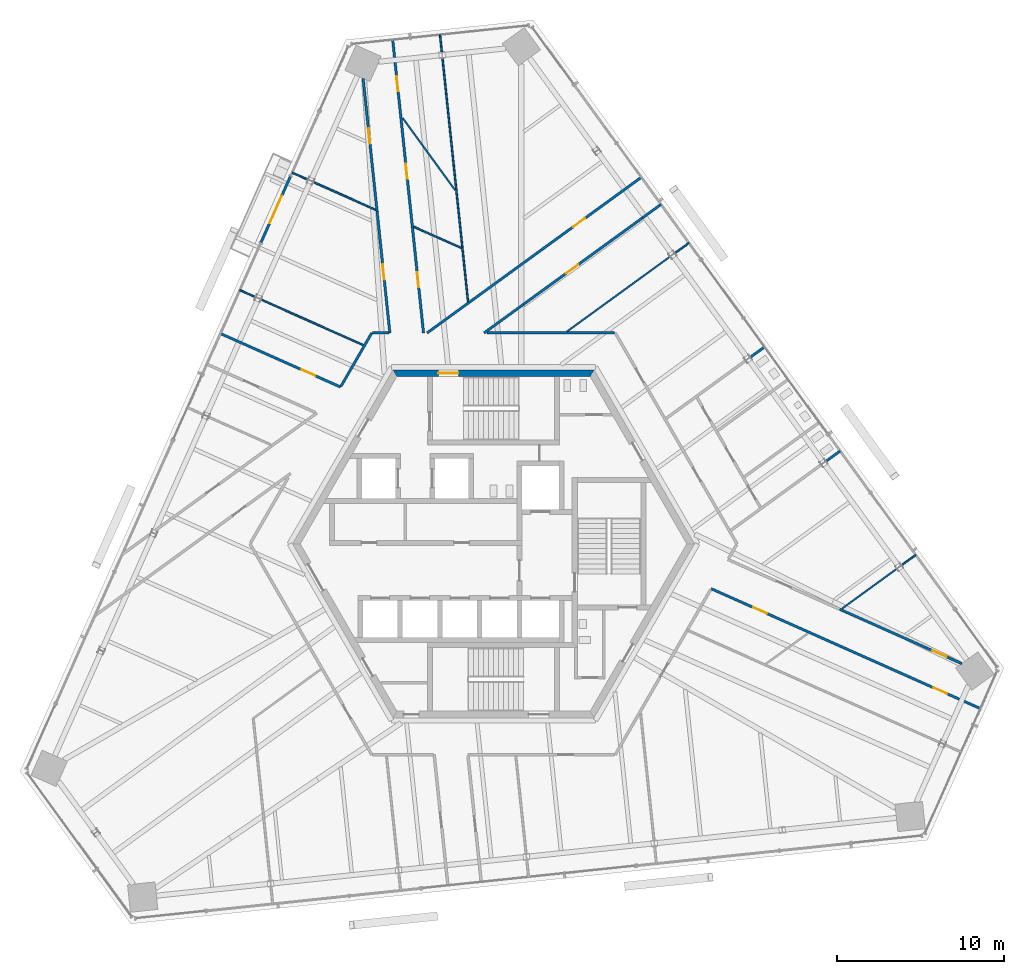
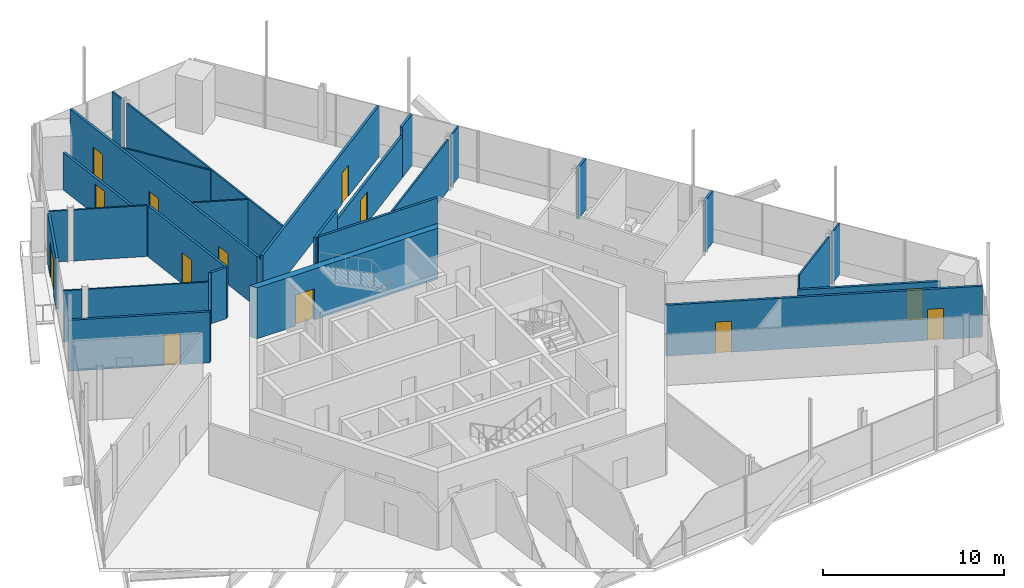
# One storey, part 14 of 21: 29 walls, 13 doors, 13 openings.
"""IFC4 building model written with IfcOpenShell, lengths in metres."""

from ifc_helpers import new_model, si_unit, direction, frame, frame_2d, origin, place, context, subcontext, project, spatial, polyline, rectangle, outline, extrude, source, transform, mapped, material, layer, layer_set, type_object, element, fill, save


model = new_model("IFC4")

# Units and contexts
model_context = context("Model", 3, precision=1e-05, world=origin(), true_north=direction((0.0, 1.0)))
body_context = subcontext(model_context, "Body", "Model", "MODEL_VIEW")
ifc_project = project(units=[si_unit("LENGTHUNIT", "METRE"), si_unit("AREAUNIT", "SQUARE_METRE"), si_unit("VOLUMEUNIT", "CUBIC_METRE"), si_unit("PLANEANGLEUNIT", "RADIAN"), si_unit("MASSUNIT", "GRAM", prefix="KILO")], contexts=[model_context])

# Site, building, storey
site_placement = place(None, origin())
site = spatial("IfcSite", under=ifc_project, at=site_placement, CompositionType="ELEMENT")
building_placement = place(site_placement, origin())
building = spatial("IfcBuilding", under=site, at=building_placement, Name="Triune Harvest Tower", CompositionType="ELEMENT")
storey_placement = place(building_placement, frame((0.0, 0.0, 241.300048828125)))
storey = spatial("IfcBuildingStorey", under=building, at=storey_placement, Name="L63", CompositionType="ELEMENT", Elevation=241.300048828125)

# Wall, opening, door
ifc_material_1 = material(Name="Gypsum board on steel studs", Category="steel")
ifc_layer_1 = layer(ifc_material_1, 0.14990234375)
ifc_layer_set_1 = layer_set([ifc_layer_1], Name="Gypsum board on steel studs")
wall_type_1 = type_object("IfcWallType", Name="Fire Partition 150 mm", PredefinedType="PARTITIONING", material=ifc_layer_set_1)
wall_1_placement = place(storey_placement, frame((-6.952880859375, 19.8525390625, 0.0), z_axis=(0.0, 0.0, 1.0), x_axis=(0.104508955869, -0.994523945485, 0.0)))
wall_1 = element("IfcWall", 1, at=wall_1_placement, inside=storey, type_object=wall_type_1, Name="Partition L63 005a", PredefinedType="PARTITIONING", context=body_context, shape_type="SweptSolid", body=[
    extrude(rectangle(XDim=7.30029296875, YDim=0.14990234375, at=frame_2d((3.650146484375, 0.0))), origin(), (0.0, 0.0, 1.0), 3.43994140625),
])
opening_1_placement = place(wall_1_placement, frame((3.19140625, 0.0, 0.0)))
opening_1 = element("IfcOpeningElement", 2, at=opening_1_placement, cuts=wall_1, Name="Opening L63-014", PredefinedType="OPENING", context=body_context, shape_type="SweptSolid", body=[
    extrude(rectangle(XDim=0.89990234375, YDim=2.10009765625, at=frame_2d((0.449951171875, 1.050048828125))), frame((0.0, 0.0849609375, 0.0), z_axis=(0.0, -1.0, 0.0), x_axis=(1.0, 0.0, 0.0)), (0.0, 0.0, 1.0), 0.169921875),
])
ifc_material_2 = material(Name="Timber and steel door set", Category="steel")
door_type_1 = type_object("IfcDoorType", Name="Single leaf door FD30 left hand 900 x 2100", OperationType="SINGLE_SWING_LEFT", PredefinedType="DOOR", material=ifc_material_2)
door_1_placement = place(opening_1_placement, origin())
door_1 = element("IfcDoor", 3, at=door_1_placement, inside=storey, type_object=door_type_1, Name="Door L63-014 Project Room 63.14", OperationType="SINGLE_SWING_LEFT", OverallHeight=2.10009765625, OverallWidth=0.89990234375, PredefinedType="DOOR", context=body_context, shape_type="SweptSolid", body=[
    extrude(rectangle(XDim=0.89990234375, YDim=2.10009765625, at=frame_2d((0.449951171875, 1.050048828125))), frame((0.0, 0.02490234375, 0.0), z_axis=(0.0, -1.0, 0.0), x_axis=(1.0, 0.0, 0.0)), (0.0, 0.0, 1.0), 0.050048828125),
])
fill(opening_1, door_1)

# Wall, openings, doors
wall_2_placement = place(storey_placement, frame((-6.018798828125, 30.096923828125, 0.0), z_axis=(0.0, 0.0, 1.0), x_axis=(0.104530266464, -0.994521705843, 0.0)))
wall_2 = element("IfcWall", 4, at=wall_2_placement, inside=storey, type_object=wall_type_1, Name="Partition L63 007", PredefinedType="PARTITIONING", context=body_context, shape_type="SweptSolid", body=[
    extrude(rectangle(XDim=17.60107421875, YDim=0.14990234375, at=frame_2d((8.800537109375, 0.0))), origin(), (0.0, 0.0, 1.0), 3.43994140625),
])
opening_2_placement = place(wall_2_placement, frame((2.177001953125, 0.0, 0.0)))
opening_2 = element("IfcOpeningElement", 5, at=opening_2_placement, cuts=wall_2, Name="Opening L63-011", PredefinedType="OPENING", context=body_context, shape_type="SweptSolid", body=[
    extrude(rectangle(XDim=0.89990234375, YDim=2.10009765625, at=frame_2d((0.449951171875, 1.050048828125))), frame((0.0, 0.0849609375, 0.0), z_axis=(0.0, -1.0, 0.0), x_axis=(1.0, 0.0, 0.0)), (0.0, 0.0, 1.0), 0.169921875),
])
opening_3_placement = place(wall_2_placement, frame((7.436767578125, 0.0, 0.0)))
opening_3 = element("IfcOpeningElement", 6, at=opening_3_placement, cuts=wall_2, Name="Opening L63-013", PredefinedType="OPENING", context=body_context, shape_type="SweptSolid", body=[
    extrude(rectangle(XDim=0.89990234375, YDim=2.10009765625, at=frame_2d((0.449951171875, 1.050048828125))), frame((0.0, 0.0849609375, 0.0), z_axis=(0.0, -1.0, 0.0), x_axis=(1.0, 0.0, 0.0)), (0.0, 0.0, 1.0), 0.169921875),
])
opening_4_placement = place(wall_2_placement, frame((13.951171875, 0.0, 0.0)))
opening_4 = element("IfcOpeningElement", 7, at=opening_4_placement, cuts=wall_2, Name="Opening L63-015", PredefinedType="OPENING", context=body_context, shape_type="SweptSolid", body=[
    extrude(rectangle(XDim=0.89990234375, YDim=2.10009765625, at=frame_2d((0.449951171875, 1.050048828125))), frame((0.0, 0.0849609375, 0.0), z_axis=(0.0, -1.0, 0.0), x_axis=(1.0, 0.0, 0.0)), (0.0, 0.0, 1.0), 0.169921875),
])
door_2_placement = place(opening_2_placement, origin())
door_2 = element("IfcDoor", 8, at=door_2_placement, inside=storey, type_object=door_type_1, Name="Door L63-011 Reception 63.11", OperationType="SINGLE_SWING_LEFT", OverallHeight=2.10009765625, OverallWidth=0.89990234375, PredefinedType="DOOR", context=body_context, shape_type="SweptSolid", body=[
    extrude(rectangle(XDim=0.89990234375, YDim=2.10009765625, at=frame_2d((0.449951171875, 1.050048828125))), frame((0.0, 0.02490234375, 0.0), z_axis=(0.0, -1.0, 0.0), x_axis=(1.0, 0.0, 0.0)), (0.0, 0.0, 1.0), 0.050048828125),
])
fill(opening_2, door_2)
door_3_placement = place(opening_3_placement, origin())
door_3 = element("IfcDoor", 9, at=door_3_placement, inside=storey, type_object=door_type_1, Name="Door L63-013 Dry Store Room 63.13", OperationType="SINGLE_SWING_LEFT", OverallHeight=2.10009765625, OverallWidth=0.89990234375, PredefinedType="DOOR", context=body_context, shape_type="SweptSolid", body=[
    extrude(rectangle(XDim=0.89990234375, YDim=2.10009765625, at=frame_2d((0.449951171875, 1.050048828125))), frame((0.0, 0.02490234375, 0.0), z_axis=(0.0, -1.0, 0.0), x_axis=(1.0, 0.0, 0.0)), (0.0, 0.0, 1.0), 0.050048828125),
])
fill(opening_3, door_3)
ifc_material_3 = material(Name="Timber and steel door set", Category="steel")
door_type_2 = type_object("IfcDoorType", Name="Single leaf door FD30 right hand 900 x 2100", OperationType="SINGLE_SWING_RIGHT", PredefinedType="DOOR", material=ifc_material_3)
door_4_placement = place(opening_4_placement, origin())
door_4 = element("IfcDoor", 10, at=door_4_placement, inside=storey, type_object=door_type_2, Name="Door L63-015 Meeting Room 63.15", OperationType="SINGLE_SWING_RIGHT", OverallHeight=2.10009765625, OverallWidth=0.89990234375, PredefinedType="DOOR", context=body_context, shape_type="SweptSolid", body=[
    extrude(rectangle(XDim=0.89990234375, YDim=2.10009765625, at=frame_2d((0.449951171875, 1.050048828125))), frame((0.0, 0.02490234375, 0.0), z_axis=(0.0, -1.0, 0.0), x_axis=(1.0, 0.0, 0.0)), (0.0, 0.0, 1.0), 0.050048828125),
])
fill(opening_4, door_4)

wall_3_placement = place(storey_placement, frame((12.99462890625, -2.677001953125, 0.0), z_axis=(0.0, 0.0, 1.0), x_axis=(0.913543662377, -0.406740675284, 0.0)))
wall_3 = element("IfcWall", 11, at=wall_3_placement, inside=storey, type_object=wall_type_1, Name="Partition L63 024", PredefinedType="PARTITIONING", context=body_context, shape_type="SweptSolid", body=[
    extrude(rectangle(XDim=17.601318359375, YDim=0.14990234375, at=frame_2d((8.80078125, 0.0))), origin(), (0.0, 0.0, 1.0), 3.43994140625),
])
opening_5_placement = place(wall_3_placement, frame((2.75, 0.0, 0.0)))
opening_5 = element("IfcOpeningElement", 12, at=opening_5_placement, cuts=wall_3, Name="Opening L63-002", PredefinedType="OPENING", context=body_context, shape_type="SweptSolid", body=[
    extrude(rectangle(XDim=0.89990234375, YDim=2.10009765625, at=frame_2d((0.449951171875, 1.050048828125))), frame((0.0, 0.0849609375, 0.0), z_axis=(0.0, -1.0, 0.0), x_axis=(1.0, 0.0, 0.0)), (0.0, 0.0, 1.0), 0.169921875),
])
opening_6_placement = place(wall_3_placement, frame((14.52392578125, 0.0, 0.0)))
opening_6 = element("IfcOpeningElement", 13, at=opening_6_placement, cuts=wall_3, Name="Opening L63-025", PredefinedType="OPENING", context=body_context, shape_type="SweptSolid", body=[
    extrude(rectangle(XDim=0.89990234375, YDim=2.10009765625, at=frame_2d((0.449951171875, 1.050048828125))), frame((0.0, 0.0849609375, 0.0), z_axis=(0.0, -1.0, 0.0), x_axis=(1.0, 0.0, 0.0)), (0.0, 0.0, 1.0), 0.169921875),
])
door_5_placement = place(opening_6_placement, origin())
door_5 = element("IfcDoor", 14, at=door_5_placement, inside=storey, type_object=door_type_1, Name="Door L63-025 Phone room 63.25", OperationType="SINGLE_SWING_LEFT", OverallHeight=2.10009765625, OverallWidth=0.89990234375, PredefinedType="DOOR", context=body_context, shape_type="SweptSolid", body=[
    extrude(rectangle(XDim=0.89990234375, YDim=2.10009765625, at=frame_2d((0.449951171875, 1.050048828125))), frame((0.0, 0.02490234375, 0.0), z_axis=(0.0, -1.0, 0.0), x_axis=(1.0, 0.0, 0.0)), (0.0, 0.0, 1.0), 0.050048828125),
])
fill(opening_6, door_5)
door_6_placement = place(opening_5_placement, origin())
door_6 = element("IfcDoor", 15, at=door_6_placement, inside=storey, type_object=door_type_2, Name="Door L63-002 Meeting Room 63.02", OperationType="SINGLE_SWING_RIGHT", OverallHeight=2.10009765625, OverallWidth=0.89990234375, PredefinedType="DOOR", context=body_context, shape_type="SweptSolid", body=[
    extrude(rectangle(XDim=0.89990234375, YDim=2.10009765625, at=frame_2d((0.449951171875, 1.050048828125))), frame((0.0, 0.02490234375, 0.0), z_axis=(0.0, -1.0, 0.0), x_axis=(1.0, 0.0, 0.0)), (0.0, 0.0, 1.0), 0.050048828125),
])
fill(opening_5, door_6)

# Walls
wall_4_placement = place(storey_placement, frame((-0.37451171875, 12.59228515625, 0.0), z_axis=(0.0, 0.0, 1.0), x_axis=(1.0, 0.0, 0.0)))
element("IfcWall", 16, at=wall_4_placement, inside=storey, type_object=wall_type_1, Name="Partition L63 035", PredefinedType="PARTITIONING", context=body_context, shape_type="SweptSolid", body=[
    extrude(rectangle(XDim=7.5947265625, YDim=0.14990234375, at=frame_2d((3.79736328125, 0.0))), origin(), (0.0, 0.0, 1.0), 3.43994140625),
])
wall_5_placement = place(storey_placement, frame((-0.564453125, 12.59228515625, 0.0), z_axis=(0.0, 0.0, 1.0), x_axis=(0.80901618863, 0.587786361304, 0.0)))
element("IfcWall", 17, at=wall_5_placement, inside=storey, type_object=wall_type_1, Name="Partition L63 049", PredefinedType="PARTITIONING", context=body_context, shape_type="SweptSolid", body=[
    extrude(rectangle(XDim=2.9013671875, YDim=0.14990234375, at=frame_2d((1.45068359375, 0.0))), origin(), (0.0, 0.0, 1.0), 3.43994140625),
])

# Wall, opening, door
wall_6_placement = place(storey_placement, frame((1.78271484375, 14.297607421875, 0.0), z_axis=(0.0, 0.0, 1.0), x_axis=(0.809020661986, 0.587780204226, 0.0)))
wall_6 = element("IfcWall", 18, at=wall_6_placement, inside=storey, type_object=wall_type_1, Name="Partition L63 049a", PredefinedType="PARTITIONING", context=body_context, shape_type="SweptSolid", body=[
    extrude(rectangle(XDim=8.78955078125, YDim=0.14990234375, at=frame_2d((4.394775390625, 0.0))), origin(), (0.0, 0.0, 1.0), 2.82763671875),
])
opening_7_placement = place(wall_6_placement, frame((3.1484375, 0.0, 0.0)))
opening_7 = element("IfcOpeningElement", 19, at=opening_7_placement, cuts=wall_6, Name="Opening L63-010", PredefinedType="OPENING", context=body_context, shape_type="SweptSolid", body=[
    extrude(rectangle(XDim=0.89990234375, YDim=2.10009765625, at=frame_2d((0.449951171875, 1.050048828125))), frame((0.0, 0.0849609375, 0.0), z_axis=(0.0, -1.0, 0.0), x_axis=(1.0, 0.0, 0.0)), (0.0, 0.0, 1.0), 0.169921875),
])
door_7_placement = place(opening_7_placement, origin())
door_7 = element("IfcDoor", 20, at=door_7_placement, inside=storey, type_object=door_type_2, Name="Door L63-010 Office 63.10", OperationType="SINGLE_SWING_RIGHT", OverallHeight=2.10009765625, OverallWidth=0.89990234375, PredefinedType="DOOR", context=body_context, shape_type="SweptSolid", body=[
    extrude(rectangle(XDim=0.89990234375, YDim=2.10009765625, at=frame_2d((0.449951171875, 1.050048828125))), frame((0.0, 0.02490234375, 0.0), z_axis=(0.0, -1.0, 0.0), x_axis=(1.0, 0.0, 0.0)), (0.0, 0.0, 1.0), 0.050048828125),
])
fill(opening_7, door_7)

wall_7_placement = place(storey_placement, frame((-3.967041015625, 12.59228515625, 0.0), z_axis=(0.0, 0.0, 1.0), x_axis=(0.809018431706, 0.587783273971, 0.0)))
wall_7 = element("IfcWall", 21, at=wall_7_placement, inside=storey, type_object=wall_type_1, Name="Partition L63 052", PredefinedType="PARTITIONING", context=body_context, shape_type="SweptSolid", body=[
    extrude(rectangle(XDim=15.8115234375, YDim=0.14990234375, at=frame_2d((7.90576171875, 0.0))), origin(), (0.0, 0.0, 1.0), 3.43994140625),
])
opening_8_placement = place(wall_7_placement, frame((10.761474609375, 0.0, 0.0)))
opening_8 = element("IfcOpeningElement", 22, at=opening_8_placement, cuts=wall_7, Name="Opening L63-009", PredefinedType="OPENING", context=body_context, shape_type="SweptSolid", body=[
    extrude(rectangle(XDim=0.89990234375, YDim=2.10009765625, at=frame_2d((0.449951171875, 1.050048828125))), frame((0.0, 0.0849609375, 0.0), z_axis=(0.0, -1.0, 0.0), x_axis=(1.0, 0.0, 0.0)), (0.0, 0.0, 1.0), 0.169921875),
])
door_8_placement = place(opening_8_placement, origin())
door_8 = element("IfcDoor", 23, at=door_8_placement, inside=storey, type_object=door_type_2, Name="Door L63-009 Office 63.09", OperationType="SINGLE_SWING_RIGHT", OverallHeight=2.10009765625, OverallWidth=0.89990234375, PredefinedType="DOOR", context=body_context, shape_type="SweptSolid", body=[
    extrude(rectangle(XDim=0.89990234375, YDim=2.10009765625, at=frame_2d((0.449951171875, 1.050048828125))), frame((0.0, 0.02490234375, 0.0), z_axis=(0.0, -1.0, 0.0), x_axis=(1.0, 0.0, 0.0)), (0.0, 0.0, 1.0), 0.050048828125),
])
fill(opening_8, door_8)

# Walls
wall_8_placement = place(storey_placement, frame((-9.10888671875, 9.407470703125, 0.0), z_axis=(0.0, 0.0, 1.0), x_axis=(0.499965700209, 0.866045205872, 0.0)))
element("IfcWall", 24, at=wall_8_placement, inside=storey, type_object=wall_type_1, Name="Partition L63 056", PredefinedType="PARTITIONING", context=body_context, shape_type="SweptSolid", body=[
    extrude(rectangle(XDim=3.677978515625, YDim=0.14990234375, at=frame_2d((1.8388671875, 0.0))), origin(), (0.0, 0.0, 1.0), 3.43994140625),
])
ifc_material_4 = material(Name="Gypsum board on steel studs", Category="steel")
ifc_layer_2 = layer(ifc_material_4, 0.10009765625)
ifc_layer_set_2 = layer_set([ifc_layer_2], Name="Gypsum board on steel studs")
wall_type_2 = type_object("IfcWallType", Name="Partition 100 mm", PredefinedType="PARTITIONING", material=ifc_layer_set_2)
wall_9_placement = place(storey_placement, frame((-3.050048828125, 29.01806640625, 0.0), z_axis=(0.0, 0.0, 1.0), x_axis=(0.10453452259, -0.994521258489, 0.0)))
element("IfcWall", 25, at=wall_9_placement, inside=storey, type_object=wall_type_2, Name="Partition L63 010", PredefinedType="PARTITIONING", context=body_context, shape_type="SweptSolid", body=[
    extrude(rectangle(XDim=14.6318359375, YDim=0.10009765625, at=frame_2d((7.31591796875, 0.0))), origin(), (0.0, 0.0, 1.0), 3.43994140625),
])
wall_10_placement = place(storey_placement, frame((-5.427978515625, 25.43310546875, 0.0), z_axis=(0.0, 0.0, 1.0), x_axis=(0.587771232927, -0.809027179855, 0.0)))
element("IfcWall", 26, at=wall_10_placement, inside=storey, type_object=wall_type_2, Name="Partition L63 018", PredefinedType="PARTITIONING", context=body_context, shape_type="SweptSolid", body=[
    extrude(rectangle(XDim=5.32958984375, YDim=0.10009765625, at=frame_2d((2.664794921875, 0.0))), origin(), (0.0, 0.0, 1.0), 3.43994140625),
])
wall_11_placement = place(storey_placement, frame((-10.76318359375, 21.6044921875, 0.0), z_axis=(0.0, 0.0, 1.0), x_axis=(0.913546929061, -0.406733338201, 0.0)))
element("IfcWall", 27, at=wall_11_placement, inside=storey, type_object=wall_type_2, Name="Partition L63 030", PredefinedType="PARTITIONING", context=body_context, shape_type="SweptSolid", body=[
    extrude(rectangle(XDim=4.073974609375, YDim=0.10009765625, at=frame_2d((2.037109375, 0.0))), origin(), (0.0, 0.0, 1.0), 3.43994140625),
])
wall_12_placement = place(storey_placement, frame((-4.76708984375, 18.934814453125, 0.0), z_axis=(0.0, 0.0, 1.0), x_axis=(0.913553135522, -0.406719397838, 0.0)))
element("IfcWall", 28, at=wall_12_placement, inside=storey, type_object=wall_type_2, Name="Partition L63 031", PredefinedType="PARTITIONING", context=body_context, shape_type="SweptSolid", body=[
    extrude(rectangle(XDim=3.118896484375, YDim=0.10009765625, at=frame_2d((1.5595703125, 0.0))), origin(), (0.0, 0.0, 1.0), 3.43994140625),
])
wall_13_placement = place(storey_placement, frame((20.795654296875, -3.875732421875, 0.0), z_axis=(0.0, 0.0, 1.0), x_axis=(0.809018438232, 0.587783264989, 0.0)))
element("IfcWall", 29, at=wall_13_placement, inside=storey, type_object=wall_type_2, Name="Partition L63 037", PredefinedType="PARTITIONING", context=body_context, shape_type="SweptSolid", body=[
    extrude(rectangle(XDim=4.07421875, YDim=0.10009765625, at=frame_2d((2.037109375, 0.0))), origin(), (0.0, 0.0, 1.0), 3.43994140625),
])
wall_14_placement = place(storey_placement, frame((4.39599609375, 12.686279296875, 0.0), z_axis=(0.0, 0.0, 1.0), x_axis=(0.80901634579, 0.587786144992, 0.0)))
element("IfcWall", 30, at=wall_14_placement, inside=storey, type_object=wall_type_2, Name="Partition L63 046", PredefinedType="PARTITIONING", context=body_context, shape_type="SweptSolid", body=[
    extrude(rectangle(XDim=7.60693359375, YDim=0.10009765625, at=frame_2d((3.803466796875, 0.0))), origin(), (0.0, 0.0, 1.0), 3.43994140625),
])

# Wall, opening, door
ifc_material_5 = material(Name="Concrete 70 MPa", Category="concrete")
ifc_layer_3 = layer(ifc_material_5, 0.39990234375)
ifc_layer_set_3 = layer_set([ifc_layer_3], Name="Concrete 70 MPa")
wall_type_3 = type_object("IfcWallType", Name="Core wall 400", PredefinedType="SHEAR", material=ifc_layer_set_3)
shared_shape_1 = source(origin(), body_context, "Body", "SweptSolid", [
    extrude(outline(polyline([(-0.115478515625, -0.199951171875), (11.884521484375, -0.199951171875), (11.653564453125, 0.199951171875), (0.115478515625, 0.199951171875), (-0.115478515625, -0.199951171875)])), origin(), (0.0, 0.0, 1.0), 3.43994140625),
])
wall_15_placement = place(storey_placement, frame((5.884521484375, 10.1923828125, 0.0), z_axis=(0.0, 0.0, 1.0), x_axis=(-1.0, 0.0, 0.0)))
wall_15 = element("IfcWall", 31, at=wall_15_placement, inside=storey, type_object=wall_type_3, Name="Hexagon 1 wall", PredefinedType="SHEAR", context=body_context, shape_type="MappedRepresentation", body=[
    mapped(shared_shape_1, transform((0.0, 0.0, 0.0), scale=1.0)),
])
opening_9_placement = place(wall_15_placement, frame((7.984619140625, 0.0, 0.0)))
opening_9 = element("IfcOpeningElement", 32, at=opening_9_placement, cuts=wall_15, Name="Opening CD-S1P", PredefinedType="OPENING", context=body_context, shape_type="SweptSolid", body=[
    extrude(rectangle(XDim=1.199951171875, YDim=2.10009765625, at=frame_2d((0.60009765625, 1.050048828125))), frame((0.0, 0.2099609375, 0.0), z_axis=(0.0, -1.0, 0.0), x_axis=(1.0, 0.0, 0.0)), (0.0, 0.0, 1.0), 0.419921875),
])
ifc_material_6 = material(Name="Steel S235", Category="steel")
door_type_3 = type_object("IfcDoorType", Name="Stair door 1200 FD120", OperationType="SINGLE_SWING_LEFT", PredefinedType="DOOR", material=ifc_material_6)
door_9_placement = place(opening_9_placement, frame((1.199951171875, 0.0, 0.0), z_axis=(0.0, 0.0, 1.0), x_axis=(-1.0, 0.0, 0.0)))
door_9 = element("IfcDoor", 33, at=door_9_placement, inside=storey, type_object=door_type_3, Name="Door CD-S1P", OperationType="SINGLE_SWING_RIGHT", OverallHeight=2.10009765625, OverallWidth=1.199951171875, PredefinedType="DOOR", context=body_context, shape_type="SweptSolid", body=[
    extrude(rectangle(XDim=1.199951171875, YDim=2.10009765625, at=frame_2d((0.60009765625, 1.050048828125))), frame((0.0, 0.02490234375, 0.0), z_axis=(0.0, -1.0, 0.0), x_axis=(1.0, 0.0, 0.0)), (0.0, 0.0, 1.0), 0.050048828125),
])
fill(opening_9, door_9)

ifc_material_7 = material(Name="Aluminium bronze anodised", Category="aluminium")
ifc_layer_4 = layer(ifc_material_7, 0.14990234375)
ifc_layer_set_4 = layer_set([ifc_layer_4], Name="Aluminium bronze anodised")
wall_type_4 = type_object("IfcWallType", Name="WW-2 balcony window wall", PredefinedType="ELEMENTEDWALL", material=ifc_layer_set_4)
shared_shape_2 = source(origin(), body_context, "Body", "SweptSolid", [
    extrude(rectangle(XDim=4.31640625, YDim=0.14990234375, at=frame_2d((2.158203125, 0.0))), origin(), (0.0, 0.0, 1.0), 3.43994140625),
])
wall_16_placement = place(storey_placement, frame((-13.885009765625, 17.994140625, 0.0), z_axis=(0.0, 0.0, 1.0), x_axis=(0.406720890265, 0.913552471083, 0.0)))
wall_16 = element("IfcWall", 34, at=wall_16_placement, inside=storey, type_object=wall_type_4, Name="WW-2 B6-F3 L63.3", PredefinedType="ELEMENTEDWALL", context=body_context, shape_type="MappedRepresentation", body=[
    mapped(shared_shape_2, transform((0.0, 0.0, 0.0), scale=1.0)),
])
opening_10_placement = place(wall_16_placement, frame((1.25830078125, 0.0, 0.0)))
opening_10 = element("IfcOpeningElement", 35, at=opening_10_placement, cuts=wall_16, Name="Opening L63-E01", PredefinedType="OPENING", context=body_context, shape_type="SweptSolid", body=[
    extrude(rectangle(XDim=1.800048828125, YDim=2.39990234375, at=frame_2d((0.89990234375, 1.199951171875))), frame((0.0, 0.0849609375, 0.0), z_axis=(0.0, -1.0, 0.0), x_axis=(1.0, 0.0, 0.0)), (0.0, 0.0, 1.0), 0.169921875),
])
ifc_material_8 = material(Name="Glass", Category="glass")
door_type_4 = type_object("IfcDoorType", Name="DB-1 balcony door 1800 x 2400", OperationType="DOUBLE_DOOR_SINGLE_SWING", PredefinedType="DOOR", material=ifc_material_8)
door_10_placement = place(opening_10_placement, origin())
door_10 = element("IfcDoor", 36, at=door_10_placement, inside=storey, type_object=door_type_4, Name="Door L63-E01", OperationType="DOUBLE_DOOR_SINGLE_SWING", OverallHeight=2.39990234375, OverallWidth=1.800048828125, PredefinedType="DOOR", context=body_context, shape_type="SweptSolid", body=[
    extrude(rectangle(XDim=1.800048828125, YDim=2.39990234375, at=frame_2d((0.89990234375, 1.199951171875))), frame((0.0, 0.02490234375, 0.0), z_axis=(0.0, -1.0, 0.0), x_axis=(1.0, 0.0, 0.0)), (0.0, 0.0, 1.0), 0.050048828125),
])
fill(opening_10, door_10)

# Walls
shared_shape_3 = source(origin(), body_context, "Body", "SweptSolid", [
    extrude(rectangle(XDim=1.0478515625, YDim=0.10009765625, at=frame_2d((0.52392578125, 0.0))), origin(), (0.0, 0.0, 1.0), 3.43994140625),
])
for number, where, z_axis, x_axis, name in (
    (37, (-15.150634765625, 15.151611328125, 0.0), (0.0, 0.0, 1.0), (0.913609658968, -0.406592413899, 0.0), "Partition L63 027"),
    (38, (-12.027099609375, 22.167236328125, 0.0), (0.0, 0.0, 1.0), (0.91352309314, -0.406786870855, 0.0), "Partition L63 029"),
    (39, (24.36328125, -1.28369140625, 0.0), (0.0, 0.0, 1.0), (0.808967759712, 0.587853012025, 0.0), "Partition L63 038"),
    (40, (10.821533203125, 17.354736328125, 0.0), (0.0, 0.0, 1.0), (0.808967759712, 0.587853012025, 0.0), "Partition L63 047"),
):
    element("IfcWall", number, at=place(storey_placement, frame(where, z_axis=z_axis, x_axis=x_axis)), inside=storey, type_object=wall_type_2, Name=name, PredefinedType="PARTITIONING", context=body_context, shape_type="MappedRepresentation", body=[
        mapped(shared_shape_3, transform((0.0, 0.0, 0.0), scale=1.0)),
    ])
shared_shape_4 = source(origin(), body_context, "Body", "SweptSolid", [
    extrude(rectangle(XDim=1.047607421875, YDim=0.10009765625, at=frame_2d((0.52392578125, 0.0))), origin(), (0.0, 0.0, 1.0), 3.43994140625),
])
wall_17_placement = place(storey_placement, frame((-3.194580078125, 30.393798828125, 0.0), z_axis=(0.0, 0.0, 1.0), x_axis=(0.104393662676, -0.994536054245, 0.0)))
element("IfcWall", 41, at=wall_17_placement, inside=storey, type_object=wall_type_2, Name="Partition L63 009", PredefinedType="PARTITIONING", context=body_context, shape_type="MappedRepresentation", body=[
    mapped(shared_shape_4, transform((0.0, 0.0, 0.0), scale=1.0)),
])
shared_shape_5 = source(origin(), body_context, "Body", "SweptSolid", [
    extrude(rectangle(XDim=1.047607421875, YDim=0.14990234375, at=frame_2d((0.52392578125, 0.0))), origin(), (0.0, 0.0, 1.0), 3.43994140625),
])
wall_18_placement = place(storey_placement, frame((15.33544921875, 11.14208984375, 0.0), z_axis=(0.0, 0.0, 1.0), x_axis=(0.809078563498, 0.587700500329, 0.0)))
element("IfcWall", 42, at=wall_18_placement, inside=storey, type_object=wall_type_1, Name="Partition L63 045", PredefinedType="PARTITIONING", context=body_context, shape_type="MappedRepresentation", body=[
    mapped(shared_shape_5, transform((0.0, 0.0, 0.0), scale=1.0)),
])
shared_shape_6 = source(origin(), body_context, "Body", "SweptSolid", [
    extrude(rectangle(XDim=1.0478515625, YDim=0.14990234375, at=frame_2d((0.52392578125, 0.0))), origin(), (0.0, 0.0, 1.0), 3.43994140625),
])
wall_19_placement = place(storey_placement, frame((19.849365234375, 4.92919921875, 0.0), z_axis=(0.0, 0.0, 1.0), x_axis=(0.808967759712, 0.587853012025, 0.0)))
element("IfcWall", 43, at=wall_19_placement, inside=storey, type_object=wall_type_1, Name="Partition L63 040", PredefinedType="PARTITIONING", context=body_context, shape_type="MappedRepresentation", body=[
    mapped(shared_shape_6, transform((0.0, 0.0, 0.0), scale=1.0)),
])
shared_shape_7 = source(origin(), body_context, "Body", "SweptSolid", [
    extrude(rectangle(XDim=1.367919921875, YDim=0.14990234375, at=frame_2d((0.68408203125, 0.0))), origin(), (0.0, 0.0, 1.0), 3.43994140625),
])
wall_20_placement = place(storey_placement, frame((8.8935546875, 19.4638671875, 0.0), z_axis=(0.0, 0.0, 1.0), x_axis=(0.808967539719, 0.587853314766, 0.0)))
element("IfcWall", 44, at=wall_20_placement, inside=storey, type_object=wall_type_1, Name="Partition L63 049b", PredefinedType="PARTITIONING", context=body_context, shape_type="MappedRepresentation", body=[
    mapped(shared_shape_7, transform((0.0, 0.0, 0.0), scale=1.0)),
])
shared_shape_8 = source(origin(), body_context, "Body", "SweptSolid", [
    extrude(rectangle(XDim=6.765625, YDim=0.10009765625, at=frame_2d((3.3828125, 0.0))), origin(), (0.0, 0.0, 1.0), 3.43994140625),
])
wall_21_placement = place(storey_placement, frame((-13.88671875, 14.589111328125, 0.0), z_axis=(0.0, 0.0, 1.0), x_axis=(0.913537538472, -0.406754429359, 0.0)))
element("IfcWall", 45, at=wall_21_placement, inside=storey, type_object=wall_type_2, Name="Partition L63 028", PredefinedType="PARTITIONING", context=body_context, shape_type="MappedRepresentation", body=[
    mapped(shared_shape_8, transform((0.0, 0.0, 0.0), scale=1.0)),
])

# Wall, opening, door
shared_shape_9 = source(origin(), body_context, "Body", "SweptSolid", [
    extrude(rectangle(XDim=7.98486328125, YDim=0.14990234375, at=frame_2d((3.992431640625, 0.0))), origin(), (0.0, 0.0, 1.0), 2.525634765625),
])
wall_22_placement = place(storey_placement, frame((-7.78759765625, 27.793701171875, 0.0), z_axis=(0.0, 0.0, 1.0), x_axis=(0.104536765661, -0.994521022716, 0.0)))
wall_22 = element("IfcWall", 46, at=wall_22_placement, inside=storey, type_object=wall_type_1, Name="Partition L63 005", PredefinedType="PARTITIONING", context=body_context, shape_type="MappedRepresentation", body=[
    mapped(shared_shape_9, transform((0.0, 0.0, 0.0), scale=1.0)),
])
opening_11_placement = place(wall_22_placement, frame((3.007080078125, 0.0, 0.0)))
opening_11 = element("IfcOpeningElement", 47, at=opening_11_placement, cuts=wall_22, Name="Opening L63-012", PredefinedType="OPENING", context=body_context, shape_type="SweptSolid", body=[
    extrude(rectangle(XDim=0.89990234375, YDim=2.10009765625, at=frame_2d((0.449951171875, 1.050048828125))), frame((0.0, 0.0849609375, 0.0), z_axis=(0.0, -1.0, 0.0), x_axis=(1.0, 0.0, 0.0)), (0.0, 0.0, 1.0), 0.169921875),
])
door_11_placement = place(opening_11_placement, origin())
door_11 = element("IfcDoor", 48, at=door_11_placement, inside=storey, type_object=door_type_2, Name="Door L63-012 Meeting Room 63.12", OperationType="SINGLE_SWING_RIGHT", OverallHeight=2.10009765625, OverallWidth=0.89990234375, PredefinedType="DOOR", context=body_context, shape_type="SweptSolid", body=[
    extrude(rectangle(XDim=0.89990234375, YDim=2.10009765625, at=frame_2d((0.449951171875, 1.050048828125))), frame((0.0, 0.02490234375, 0.0), z_axis=(0.0, -1.0, 0.0), x_axis=(1.0, 0.0, 0.0)), (0.0, 0.0, 1.0), 0.050048828125),
])
fill(opening_11, door_11)

shared_shape_10 = source(origin(), body_context, "Body", "SweptSolid", [
    extrude(rectangle(XDim=7.8505859375, YDim=0.14990234375, at=frame_2d((3.92529296875, 0.0))), origin(), (0.0, 0.0, 1.0), 3.43994140625),
])
wall_23_placement = place(storey_placement, frame((-16.3056640625, 12.5576171875, 0.0), z_axis=(0.0, 0.0, 1.0), x_axis=(0.913545895121, -0.406735660481, 0.0)))
wall_23 = element("IfcWall", 49, at=wall_23_placement, inside=storey, type_object=wall_type_1, Name="Partition L63 025", PredefinedType="PARTITIONING", context=body_context, shape_type="MappedRepresentation", body=[
    mapped(shared_shape_10, transform((0.0, 0.0, 0.0), scale=1.0)),
])
opening_12_placement = place(wall_23_placement, frame((5.300537109375, 0.0, 0.0)))
opening_12 = element("IfcOpeningElement", 50, at=opening_12_placement, cuts=wall_23, Name="Opening L63-017", PredefinedType="OPENING", context=body_context, shape_type="SweptSolid", body=[
    extrude(rectangle(XDim=0.89990234375, YDim=2.10009765625, at=frame_2d((0.449951171875, 1.050048828125))), frame((0.0, 0.0849609375, 0.0), z_axis=(0.0, -1.0, 0.0), x_axis=(1.0, 0.0, 0.0)), (0.0, 0.0, 1.0), 0.169921875),
])
door_12_placement = place(opening_12_placement, origin())
door_12 = element("IfcDoor", 51, at=door_12_placement, inside=storey, type_object=door_type_2, Name="Door L63-017 Office 63.17", OperationType="SINGLE_SWING_RIGHT", OverallHeight=2.10009765625, OverallWidth=0.89990234375, PredefinedType="DOOR", context=body_context, shape_type="SweptSolid", body=[
    extrude(rectangle(XDim=0.89990234375, YDim=2.10009765625, at=frame_2d((0.449951171875, 1.050048828125))), frame((0.0, 0.02490234375, 0.0), z_axis=(0.0, -1.0, 0.0), x_axis=(1.0, 0.0, 0.0)), (0.0, 0.0, 1.0), 0.050048828125),
])
fill(opening_12, door_12)

shared_shape_11 = source(origin(), body_context, "Body", "SweptSolid", [
    extrude(rectangle(XDim=7.983642578125, YDim=0.14990234375, at=frame_2d((3.99169921875, 0.0))), origin(), (0.0, 0.0, 1.0), 2.525634765625),
])
wall_24_placement = place(storey_placement, frame((20.67041015625, -3.9052734375, 0.0), z_axis=(0.0, 0.0, 1.0), x_axis=(0.913542750417, -0.406742723549, 0.0)))
wall_24 = element("IfcWall", 52, at=wall_24_placement, inside=storey, type_object=wall_type_1, Name="Partition L63 026a", PredefinedType="PARTITIONING", context=body_context, shape_type="MappedRepresentation", body=[
    mapped(shared_shape_11, transform((0.0, 0.0, 0.0), scale=1.0)),
])
opening_13_placement = place(wall_24_placement, frame((6.07666015625, 0.0, 0.0)))
opening_13 = element("IfcOpeningElement", 53, at=opening_13_placement, cuts=wall_24, Name="Opening L63-001", PredefinedType="OPENING", context=body_context, shape_type="SweptSolid", body=[
    extrude(rectangle(XDim=0.89990234375, YDim=2.10009765625, at=frame_2d((0.449951171875, 1.050048828125))), frame((0.0, 0.0849609375, 0.0), z_axis=(0.0, -1.0, 0.0), x_axis=(1.0, 0.0, 0.0)), (0.0, 0.0, 1.0), 0.169921875),
])
door_13_placement = place(opening_13_placement, origin())
door_13 = element("IfcDoor", 54, at=door_13_placement, inside=storey, type_object=door_type_2, Name="Door L63-001 Office 63.01", OperationType="SINGLE_SWING_RIGHT", OverallHeight=2.10009765625, OverallWidth=0.89990234375, PredefinedType="DOOR", context=body_context, shape_type="SweptSolid", body=[
    extrude(rectangle(XDim=0.89990234375, YDim=2.10009765625, at=frame_2d((0.449951171875, 1.050048828125))), frame((0.0, 0.02490234375, 0.0), z_axis=(0.0, -1.0, 0.0), x_axis=(1.0, 0.0, 0.0)), (0.0, 0.0, 1.0), 0.050048828125),
])
fill(opening_13, door_13)

# Wall
shared_shape_12 = source(origin(), body_context, "Body", "SweptSolid", [
    extrude(rectangle(XDim=0.97021484375, YDim=0.14990234375, at=frame_2d((0.485107421875, 0.0))), origin(), (0.0, 0.0, 1.0), 3.43994140625),
])
wall_25_placement = place(storey_placement, frame((-7.22021484375, 12.59228515625, 0.0), z_axis=(0.0, 0.0, 1.0), x_axis=(1.0, 0.0, 0.0)))
element("IfcWall", 55, at=wall_25_placement, inside=storey, type_object=wall_type_1, Name="Partition L63 034", PredefinedType="PARTITIONING", context=body_context, shape_type="MappedRepresentation", body=[
    mapped(shared_shape_12, transform((0.0, 0.0, 0.0), scale=1.0)),
])

save(model, "model.ifc")
